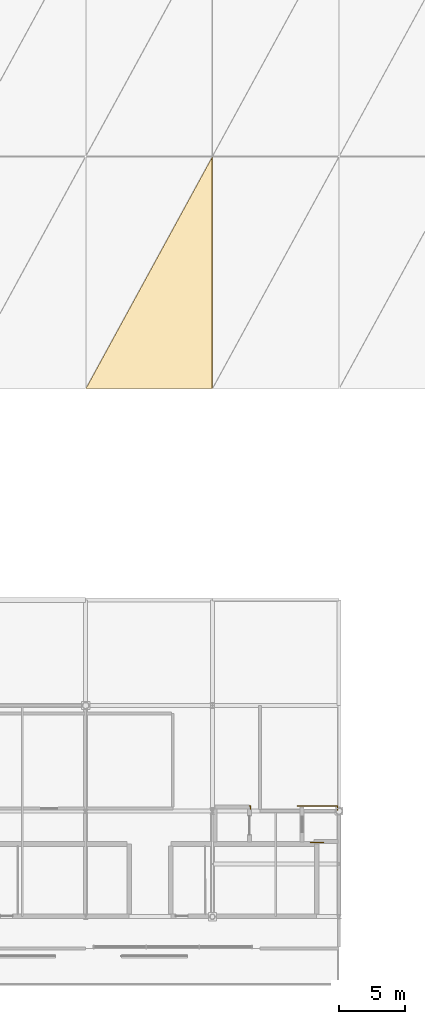
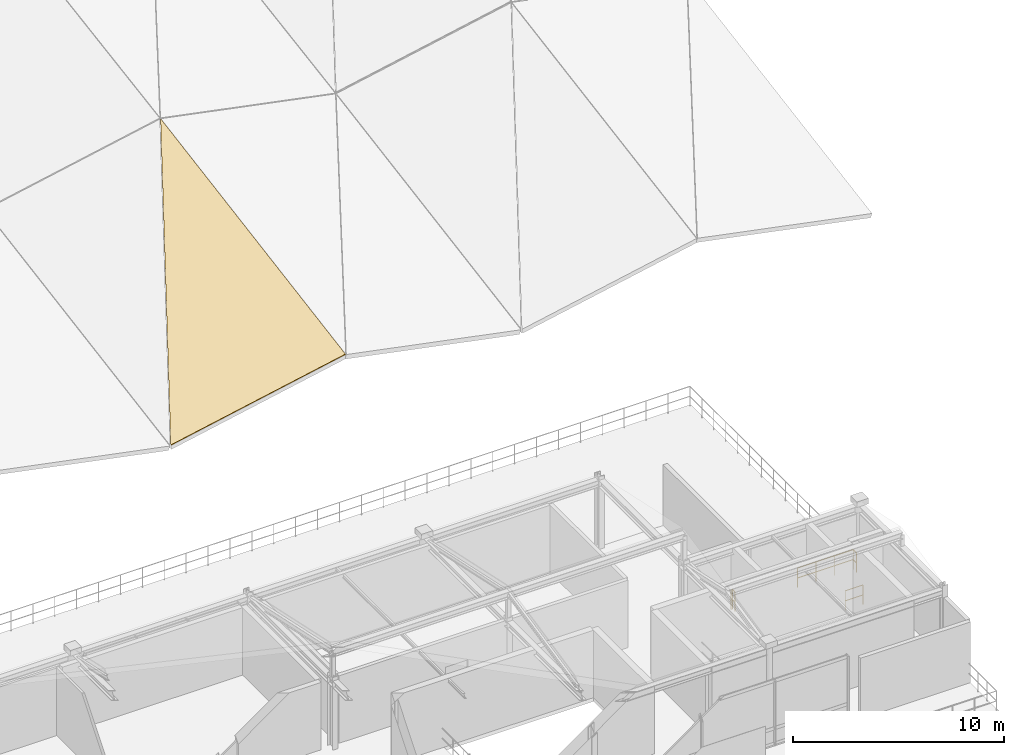
# One storey, part 25 of 26: 3 railings, 1 covering.
"""IFC4 building model written with IfcOpenShell, lengths in metres."""

from ifc_helpers import new_model, si_unit, direction, frame, origin, origin_2d, place, context, subcontext, project, spatial, polyline, circle, outline, extrude, material, layer, layer_set, type_object, element, save


model = new_model("IFC4")

# Units and contexts
model_context = context("Model", 3, precision=1e-05, world=origin(), true_north=direction((0.0, 1.0)))
body_context = subcontext(model_context, "Body", "Model", "MODEL_VIEW")
ifc_project = project(units=[si_unit("LENGTHUNIT", "METRE"), si_unit("AREAUNIT", "SQUARE_METRE"), si_unit("VOLUMEUNIT", "CUBIC_METRE"), si_unit("PLANEANGLEUNIT", "RADIAN"), si_unit("MASSUNIT", "GRAM", prefix="KILO")], contexts=[model_context])

# Site, building, storey
site_placement = place(None, origin())
site = spatial("IfcSite", under=ifc_project, at=site_placement, CompositionType="ELEMENT")
building_placement = place(site_placement, origin())
building = spatial("IfcBuilding", under=site, at=building_placement, Name="Danafjord Basin Convention Centre", CompositionType="ELEMENT")
storey_placement = place(building_placement, frame((0.0, 0.0, 29.39990234375)))
storey = spatial("IfcBuildingStorey", under=building, at=storey_placement, Name="RF", CompositionType="ELEMENT", Elevation=29.39990234375)

# Covering
ifc_material_1 = material(Name="Standing-seam zinc insulated roof cladding")
ifc_layer = layer(ifc_material_1, 0.0400390625)
ifc_layer_set = layer_set([ifc_layer], Name="Standing-seam zinc insulated roof cladding")
covering_type = type_object("IfcCoveringType", Name="COV-ROOF-ZINC", PredefinedType="ROOFING", material=ifc_layer_set)
covering_placement = place(storey_placement, frame((76.83203125, 56.029296875, -5.348388671875), z_axis=(-0.193412311273, -0.165479980801, 0.967061556367), x_axis=(0.980580675691, 0.0, 0.196116135138)))
element("IfcCovering", 1, at=covering_placement, inside=storey, type_object=covering_type, Name="V1 standing-seam zinc roof panel", PredefinedType="ROOFING", context=body_context, shape_type="SweptSolid", body=[
    extrude(outline(polyline([(0.0, 0.0), (9.741168870572155, 5.551115123125783e-17), (10.328846957165434, 17.756772866125633), (0.0, 0.0)])), origin(), (0.0, 0.0, -1.0), 0.0400390625),
])

# Railings
ifc_material_2 = material(Name="Laminated structural glass and stainless steel", Category="steel")
railing_type_1 = type_object("IfcRailingType", Name="RL-BAL-GLS", PredefinedType="BALUSTRADE", material=ifc_material_2)
railing_1_placement = place(storey_placement, frame((95.8798828125, 24.074951171875, 0.0)))
element("IfcRailing", 2, at=railing_1_placement, inside=storey, type_object=railing_type_1, Name="RF safety guard balustrade 334", PredefinedType="BALUSTRADE", context=body_context, shape_type="SweptSolid", body=[
    extrude(circle(Radius=0.02392578125, at=origin_2d()), frame((0.0, 0.0, 1.1259765625), z_axis=(0.0, 1.0, 0.0), x_axis=(-1.0, 0.0, 0.0)), (0.0, 0.0, 1.0), 0.304931640625),
    extrude(circle(Radius=0.02392578125, at=origin_2d()), frame((0.0, 0.0, 0.55078125), z_axis=(0.0, 1.0, 0.0), x_axis=(-1.0, 0.0, 0.0)), (0.0, 0.0, 1.0), 0.304931640625),
    extrude(circle(Radius=0.02392578125, at=origin_2d()), frame((0.0, 0.304931640625, 1.1259765625), z_axis=(-1.0, 0.0, 0.0), x_axis=(0.0, -1.0, 0.0)), (0.0, 0.0, 1.0), 3.039794921875),
    extrude(circle(Radius=0.02392578125, at=origin_2d()), frame((0.0, 0.304931640625, 0.55078125), z_axis=(-1.0, 0.0, 0.0), x_axis=(0.0, -1.0, 0.0)), (0.0, 0.0, 1.0), 3.039794921875),
    extrude(circle(Radius=0.02099609375, at=origin_2d()), origin(), (0.0, 0.0, 1.0), 1.099853515625),
    extrude(circle(Radius=0.02099609375, at=origin_2d()), frame((0.0, 0.304931640625, 0.0)), (0.0, 0.0, 1.0), 1.099853515625),
    extrude(circle(Radius=0.02099609375, at=origin_2d()), frame((-1.01318359375, 0.304931640625, 0.0)), (0.0, 0.0, 1.0), 1.099853515625),
    extrude(circle(Radius=0.02099609375, at=origin_2d()), frame((-2.026611328125, 0.304931640625, 0.0)), (0.0, 0.0, 1.0), 1.099853515625),
    extrude(circle(Radius=0.02099609375, at=origin_2d()), frame((-3.039794921875, 0.304931640625, 0.0)), (0.0, 0.0, 1.0), 1.099853515625),
])
railing_2_placement = place(storey_placement, frame((89.280029296875, 24.1650390625, 0.0)))
element("IfcRailing", 3, at=railing_2_placement, inside=storey, type_object=railing_type_1, Name="RF safety guard balustrade 336", PredefinedType="BALUSTRADE", context=body_context, shape_type="SweptSolid", body=[
    extrude(circle(Radius=0.02392578125, at=origin_2d()), frame((0.0, 0.0, 1.1259765625), z_axis=(0.0, 1.0, 0.0), x_axis=(-1.0, 0.0, 0.0)), (0.0, 0.0, 1.0), 0.21484375),
    extrude(circle(Radius=0.02392578125, at=origin_2d()), frame((0.0, 0.0, 0.55078125), z_axis=(0.0, 1.0, 0.0), x_axis=(-1.0, 0.0, 0.0)), (0.0, 0.0, 1.0), 0.21484375),
    extrude(circle(Radius=0.02392578125, at=origin_2d()), frame((0.0, 0.21484375, 1.1259765625), z_axis=(-1.0, 0.0, 0.0), x_axis=(0.0, -1.0, 0.0)), (0.0, 0.0, 1.0), 0.080078125),
    extrude(circle(Radius=0.02392578125, at=origin_2d()), frame((0.0, 0.21484375, 0.55078125), z_axis=(-1.0, 0.0, 0.0), x_axis=(0.0, -1.0, 0.0)), (0.0, 0.0, 1.0), 0.080078125),
    extrude(circle(Radius=0.02099609375, at=origin_2d()), origin(), (0.0, 0.0, 1.0), 1.099853515625),
    extrude(circle(Radius=0.02099609375, at=origin_2d()), frame((0.0, 0.21484375, 0.0)), (0.0, 0.0, 1.0), 1.099853515625),
    extrude(circle(Radius=0.02099609375, at=origin_2d()), frame((-0.080078125, 0.21484375, 0.0)), (0.0, 0.0, 1.0), 1.099853515625),
])
ifc_material_3 = material(Name="Galvanised and powder-coated steel S355", Category="steel")
railing_type_2 = type_object("IfcRailingType", Name="RL-BAL-STL", PredefinedType="BALUSTRADE", material=ifc_material_3)
railing_3_placement = place(storey_placement, frame((93.85009765625, 21.6201171875, 0.0)))
element("IfcRailing", 4, at=railing_3_placement, inside=storey, type_object=railing_type_2, Name="RF safety guard balustrade 333", PredefinedType="BALUSTRADE", context=body_context, shape_type="SweptSolid", body=[
    extrude(circle(Radius=0.02392578125, at=origin_2d()), frame((0.0, 0.0, 1.1259765625), z_axis=(1.0, 0.0, 0.0), x_axis=(0.0, 1.0, 0.0)), (0.0, 0.0, 1.0), 0.969970703125),
    extrude(circle(Radius=0.02392578125, at=origin_2d()), frame((0.0, 0.0, 0.55078125), z_axis=(1.0, 0.0, 0.0), x_axis=(0.0, 1.0, 0.0)), (0.0, 0.0, 1.0), 0.969970703125),
    extrude(circle(Radius=0.02099609375, at=origin_2d()), origin(), (0.0, 0.0, 1.0), 1.099853515625),
    extrude(circle(Radius=0.02099609375, at=origin_2d()), frame((0.969970703125, 0.0, 0.0)), (0.0, 0.0, 1.0), 1.099853515625),
])

save(model, "model.ifc")
